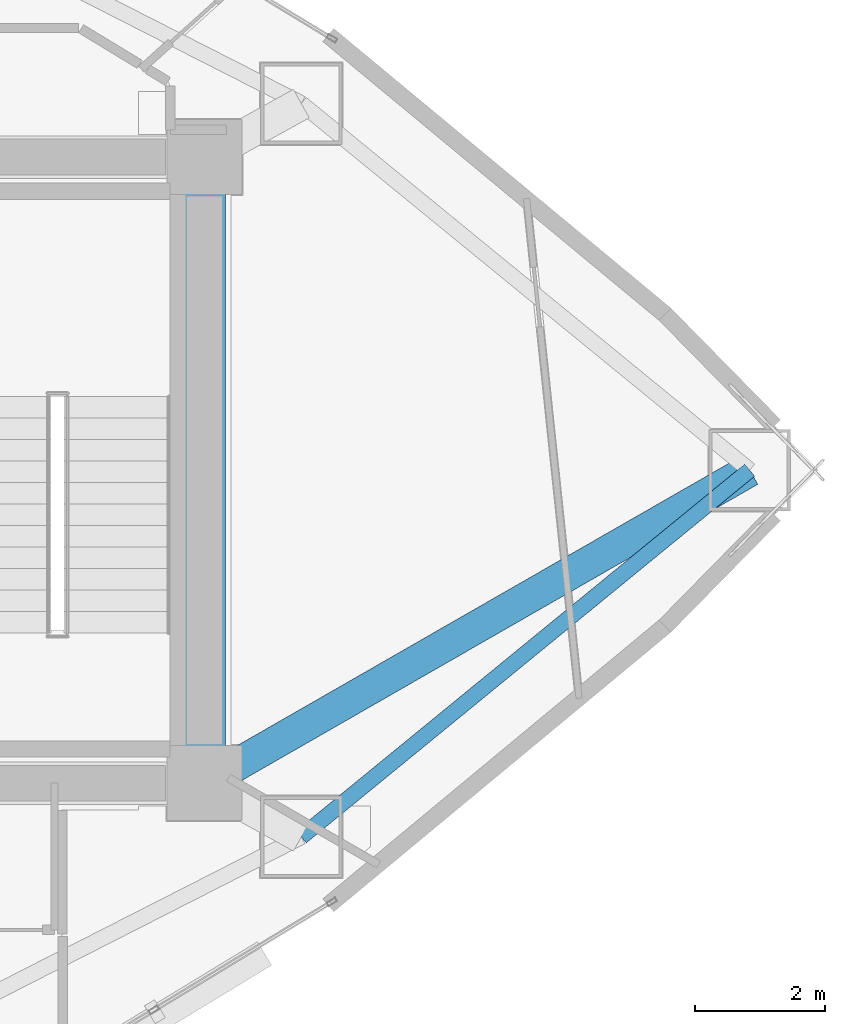
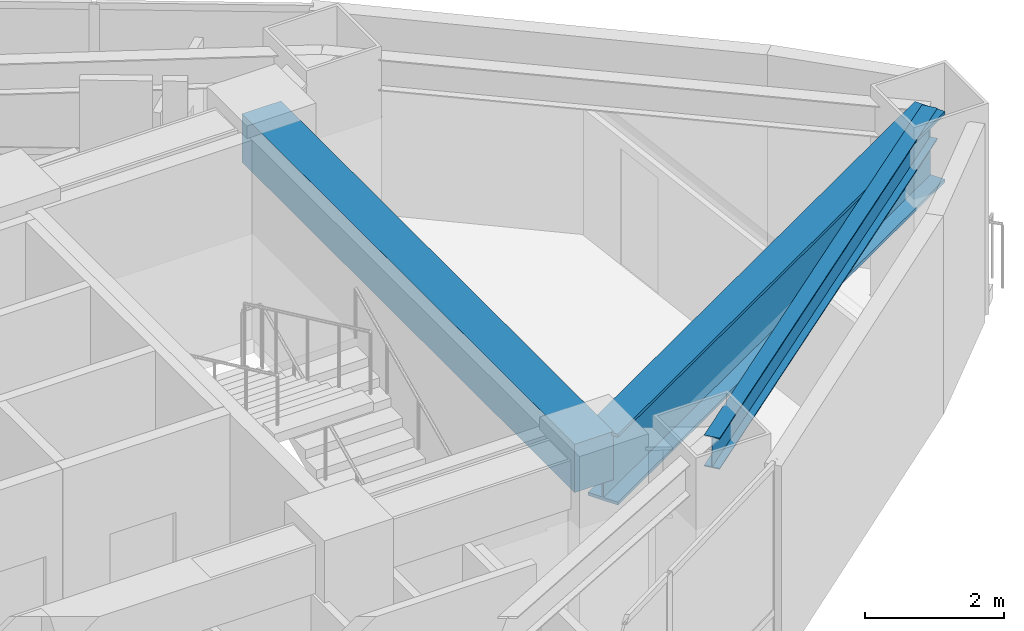
# One storey, part 6 of 17: 3 beams.
"""IFC4 building model written with IfcOpenShell, lengths in metres."""

import ifcopenshell
import ifcopenshell.guid

model = None  # the IFC model being written
_history = None  # IfcOwnerHistory: only IFC2X3 demands one
_inside = {}  # id of a spatial element -> (the spatial element, [elements in it])
_under = {}  # id of a project, library or spatial element -> (it, [spatial elements below it])
_declared = {}  # id of a project -> (the project, [libraries it declares])
_typed = {}  # id of a type object -> (the type object, [elements of that type])
_made_of = {}  # id of a material, layer set ... -> (it, [elements and type objects made of it])


def new_model(schema):
    """Start an empty IFC model of exactly this schema.

    Asked for "IFC4X3", IfcOpenShell would pick the latest addendum, in which some entities
    have other attributes; the version numbers below select the first issue.
    IFC2X3 requires an IfcOwnerHistory on every rooted entity: one is made here for all.
    """
    global model, _history
    if schema == "IFC4X3":
        model = ifcopenshell.file(schema_version=(4, 3, 0, 0))
    else:
        model = ifcopenshell.file(schema=schema)
    _inside.clear()
    _under.clear()
    _declared.clear()
    _typed.clear()
    _made_of.clear()
    _history = None
    if model.schema == "IFC2X3":
        org = make("IfcOrganization", Name="unknown")
        user = make(
            "IfcPersonAndOrganization",
            ThePerson=make("IfcPerson", FamilyName="unknown"),
            TheOrganization=org,
        )
        app = make(
            "IfcApplication",
            ApplicationDeveloper=org,
            Version="unknown",
            ApplicationFullName="unknown",
            ApplicationIdentifier="unknown",
        )
        _history = make(
            "IfcOwnerHistory",
            OwningUser=user,
            OwningApplication=app,
            ChangeAction="ADDED",
            CreationDate=0,
        )
    return model


def make(cls, **values):
    """One entity of the class cls with the attributes given. An attribute that is None is left unset."""
    return model.create_entity(
        cls, **{name: value for name, value in values.items() if value is not None}
    )


def rooted(cls, **values):
    """An entity with a GlobalId (a new one), such as an element, a storey or a relation."""
    return make(cls, GlobalId=ifcopenshell.guid.new(), OwnerHistory=_history, **values)


def si_unit(unit_type, name, prefix=None):
    """IfcSIUnit, for example si_unit("LENGTHUNIT", "METRE", prefix="MILLI")."""
    return make("IfcSIUnit", UnitType=unit_type, Prefix=prefix, Name=name)


def assignment(units):
    """IfcUnitAssignment: the units of a project."""
    return None if units is None else make("IfcUnitAssignment", Units=units)


def point(xyz):
    """IfcCartesianPoint."""
    return None if xyz is None else make("IfcCartesianPoint", Coordinates=xyz)


def direction(xyz):
    """IfcDirection."""
    return None if xyz is None else make("IfcDirection", DirectionRatios=xyz)


def frame(location, z_axis=None, x_axis=None):
    """IfcAxis2Placement3D, a coordinate frame: its origin and axes. An axis left out is left unset."""
    return make(
        "IfcAxis2Placement3D",
        Location=point(location),
        Axis=direction(z_axis),
        RefDirection=direction(x_axis),
    )


def frame_2d(location, x_axis=None):
    """IfcAxis2Placement2D, a coordinate frame in the plane: its origin and x axis."""
    return make(
        "IfcAxis2Placement2D", Location=point(location), RefDirection=direction(x_axis)
    )


def origin():
    """The frame at (0, 0, 0) with its axes left unset."""
    return frame((0.0, 0.0, 0.0))


def origin_2d():
    """The frame at (0, 0) in the plane with its x axis left unset."""
    return frame_2d((0.0, 0.0))


def place(relative_to, where):
    """IfcLocalPlacement: puts the frame where relative to a parent placement (None: the world)."""
    return make(
        "IfcLocalPlacement", PlacementRelTo=relative_to, RelativePlacement=where
    )


def context(
    kind, dimensions, precision=None, world=None, true_north=None, identifier=None
):
    """IfcGeometricRepresentationContext, for example the 3D "Model" context."""
    return make(
        "IfcGeometricRepresentationContext",
        ContextIdentifier=identifier,
        ContextType=kind,
        CoordinateSpaceDimension=dimensions,
        Precision=precision,
        WorldCoordinateSystem=world,
        TrueNorth=true_north,
    )


def subcontext(parent, identifier, kind, view, scale=None):
    """IfcGeometricRepresentationSubContext, for example "Body" below "Model"."""
    return make(
        "IfcGeometricRepresentationSubContext",
        ContextIdentifier=identifier,
        ContextType=kind,
        ParentContext=parent,
        TargetScale=scale,
        TargetView=view,
    )


def project(units=None, contexts=None):
    """IfcProject with its units and contexts."""
    return rooted(
        "IfcProject",
        Name="project",
        RepresentationContexts=contexts,
        UnitsInContext=assignment(units),
    )


def spatial(cls, under=None, at=None, **own):
    """A site, building, storey or space (cls), placed at a placement, below another one or the project."""
    s = rooted(cls, ObjectPlacement=at, **own)
    if under is not None:
        _under.setdefault(under.id(), (under, []))[1].append(s)
    return s


def profile(cls, at=None, kind="AREA", **sizes):
    """A parametric profile (cls). Its sizes go by their IFC names, for example OverallWidth=200.0."""
    return make(cls, ProfileType=kind, Position=at, **sizes)


def rectangle(**sizes):
    """IfcRectangleProfileDef."""
    return profile("IfcRectangleProfileDef", **sizes)


def i_section(**sizes):
    """IfcIShapeProfileDef."""
    return profile("IfcIShapeProfileDef", **sizes)


def extrude(swept, where, along, depth):
    """IfcExtrudedAreaSolid: the profile swept, set in the frame where, extruded along a direction by depth."""
    return make(
        "IfcExtrudedAreaSolid",
        SweptArea=swept,
        Position=where,
        ExtrudedDirection=direction(along),
        Depth=depth,
    )


def shape(context_of_items, identifier, shape_type, items):
    """IfcShapeRepresentation: the items that make up one representation, for example the "Body"."""
    return make(
        "IfcShapeRepresentation",
        ContextOfItems=context_of_items,
        RepresentationIdentifier=identifier,
        RepresentationType=shape_type,
        Items=items,
    )


def material(Name=None, Category=None):
    """IfcMaterial."""
    return make("IfcMaterial", Name=Name, Category=Category)


def material_profile(
    of_material, cross_section, Name=None, Category=None, Priority=None
):
    """IfcMaterialProfile: a cross section and its material."""
    return make(
        "IfcMaterialProfile",
        Name=Name,
        Material=of_material,
        Profile=cross_section,
        Priority=Priority,
        Category=Category,
    )


def profile_set(profiles, Name=None, composite=None):
    """IfcMaterialProfileSet."""
    return make(
        "IfcMaterialProfileSet",
        Name=Name,
        MaterialProfiles=profiles,
        CompositeProfile=composite,
    )


def made_of(thing, what):
    """Note that an element or type object is made of a material, layer set ...; save() writes the relation."""
    if what is not None:
        _made_of.setdefault(what.id(), (what, []))[1].append(thing)
    return thing


def type_object(cls, material=None, **own):
    """A type object (cls), such as IfcWallType, which elements share."""
    return made_of(rooted(cls, **own), material)


def element(
    cls,
    number,
    at=None,
    inside=None,
    cuts=None,
    type_object=None,
    material=None,
    context=None,
    identifier="Body",
    shape_type=None,
    held_by="IfcProductDefinitionShape",
    body=None,
    shapes=None,
    **own,
):
    """One element of the class cls, such as IfcWall. Its Tag is "e" and its number.

    at: its placement. inside: the storey or other place that contains it. cuts: it is an
    opening in that element (IfcRelVoidsElement). A single representation is given by context,
    identifier, shape_type and body (its items); several are given by shapes. held_by: the class
    of the entity that holds the representations. save() writes the other relations.
    """
    e = rooted(cls, Tag="e%d" % number, ObjectPlacement=at, **own)
    if body is not None:
        shapes = [shape(context, identifier, shape_type, body)]
    if shapes is not None:
        e.Representation = make(held_by, Representations=shapes)
    if inside is not None:
        _inside.setdefault(inside.id(), (inside, []))[1].append(e)
    if cuts is not None:
        rooted(
            "IfcRelVoidsElement", RelatingBuildingElement=cuts, RelatedOpeningElement=e
        )
    if type_object is not None:
        _typed.setdefault(type_object.id(), (type_object, []))[1].append(e)
    return made_of(e, material)


def aggregate(whole, parts):
    """IfcRelAggregates: a whole, such as a stair, and the parts it consists of."""
    return rooted("IfcRelAggregates", RelatingObject=whole, RelatedObjects=parts)


def save(model, path):
    """Write the relations noted so far, then the file.

    IfcRelAggregates (storeys below a building ...), IfcRelContainedInSpatialStructure (elements
    in a storey), IfcRelDefinesByType, IfcRelAssociatesMaterial and IfcRelDeclares: one each for
    every whole, place, type object, material and project.
    """
    for whole, parts in _under.values():
        aggregate(whole, parts)
    for where, things in _inside.values():
        rooted(
            "IfcRelContainedInSpatialStructure",
            RelatedElements=things,
            RelatingStructure=where,
        )
    for kind, things in _typed.values():
        rooted("IfcRelDefinesByType", RelatedObjects=things, RelatingType=kind)
    for what, things in _made_of.values():
        rooted("IfcRelAssociatesMaterial", RelatedObjects=things, RelatingMaterial=what)
    for by, libraries in _declared.values():
        rooted("IfcRelDeclares", RelatingContext=by, RelatedDefinitions=libraries)
    model.write(path)


model = new_model("IFC4")

# Units and contexts
model_context = context("Model", 3, precision=1e-05, world=origin(), true_north=direction((0.0, 1.0)))
body_context = subcontext(model_context, "Body", "Model", "MODEL_VIEW")
ifc_project = project(units=[si_unit("LENGTHUNIT", "METRE"), si_unit("AREAUNIT", "SQUARE_METRE"), si_unit("VOLUMEUNIT", "CUBIC_METRE"), si_unit("PLANEANGLEUNIT", "RADIAN"), si_unit("MASSUNIT", "GRAM", prefix="KILO")], contexts=[model_context])

# Site, building, storey
site_placement = place(None, origin())
site = spatial("IfcSite", under=ifc_project, at=site_placement, CompositionType="ELEMENT")
building_placement = place(site_placement, origin())
building = spatial("IfcBuilding", under=site, at=building_placement, Name="Menara Vayukalpa", CompositionType="ELEMENT")
storey_placement = place(building_placement, frame((0.0, 0.0, 133.739990234375)))
storey = spatial("IfcBuildingStorey", under=building, at=storey_placement, Name="L33", CompositionType="ELEMENT", Elevation=133.739990234375)

# Beams
ifc_material_1 = material(Name="Concrete C60/75", Category="concrete")
ifc_material_profile_1 = material_profile(ifc_material_1, rectangle(XDim=0.64990234375, YDim=0.85009765625, at=origin_2d()), Name="RC 650x850")
ifc_profile_set_1 = profile_set([ifc_material_profile_1], Name="Concrete C60/75")
beam_type_1 = type_object("IfcBeamType", Name="BM-CB1", PredefinedType="BEAM", material=ifc_profile_set_1)
beam_1_placement = place(storey_placement, frame((33.39990234375, 17.199951171875, 3.074951171875), z_axis=(0.0, 1.0, 0.0), x_axis=(-1.0, 0.0, 0.0)))
element("IfcBeam", 1, at=beam_1_placement, inside=storey, type_object=beam_type_1, Name="L33 Core Tie Beam CBR8", PredefinedType="BEAM", context=body_context, shape_type="SweptSolid", body=[
    extrude(rectangle(XDim=0.64990234375, YDim=0.85009765625, at=origin_2d()), origin(), (0.0, 0.0, 1.0), 9.60009765625),
])
ifc_material_2 = material(Name="Steel S355", Category="steel")
ifc_material_profile_2 = material_profile(ifc_material_2, i_section(OverallWidth=0.239990234375, OverallDepth=0.550048828125, WebThickness=0.010986328125, FlangeThickness=0.01904296875, at=origin_2d()), Name="WF 550x240x11x19")
ifc_profile_set_2 = profile_set([ifc_material_profile_2], Name="Steel S355")
beam_type_2 = type_object("IfcBeamType", Name="BM-SP2", PredefinedType="SPANDREL", material=ifc_profile_set_2)
beam_2_placement = place(storey_placement, frame((34.88671875, 16.37841796875, 3.22509765625), z_axis=(0.774156906301, 0.632993747541, 0.0), x_axis=(-0.632993747541, 0.774156906301, 0.0)))
element("IfcBeam", 2, at=beam_2_placement, inside=storey, type_object=beam_type_2, Name="L33 Perimeter Spandrel Beam SP09", PredefinedType="SPANDREL", context=body_context, shape_type="SweptSolid", body=[
    extrude(i_section(OverallWidth=0.239990234375, OverallDepth=0.550048828125, WebThickness=0.010986328125, FlangeThickness=0.01904296875, at=origin_2d()), origin(), (0.0, 0.0, 1.0), 8.880859375),
])
ifc_material_3 = material(Name="Steel S460", Category="steel")
ifc_material_profile_3 = material_profile(ifc_material_3, i_section(OverallWidth=0.5, OverallDepth=1.25, WebThickness=0.028076171875, FlangeThickness=0.054931640625, at=origin_2d()), Name="WG 1250x500x28x55")
ifc_profile_set_3 = profile_set([ifc_material_profile_3], Name="Steel S460")
beam_type_3 = type_object("IfcBeamType", Name="BM-TG2", PredefinedType="BEAM", material=ifc_profile_set_3)
beam_3_placement = place(storey_placement, frame((33.61669921875, 17.324462890625, 2.875), z_axis=(0.867273673572, 0.497831673488, 0.0), x_axis=(-0.497831673488, 0.867273673572, 0.0)))
element("IfcBeam", 3, at=beam_3_placement, inside=storey, type_object=beam_type_3, Name="L33 Primary Radial Girder RG01", PredefinedType="BEAM", context=body_context, shape_type="SweptSolid", body=[
    extrude(i_section(OverallWidth=0.5, OverallDepth=1.25, WebThickness=0.028076171875, FlangeThickness=0.054931640625, at=origin_2d()), origin(), (0.0, 0.0, 1.0), 9.391845703125),
])

save(model, "model.ifc")
